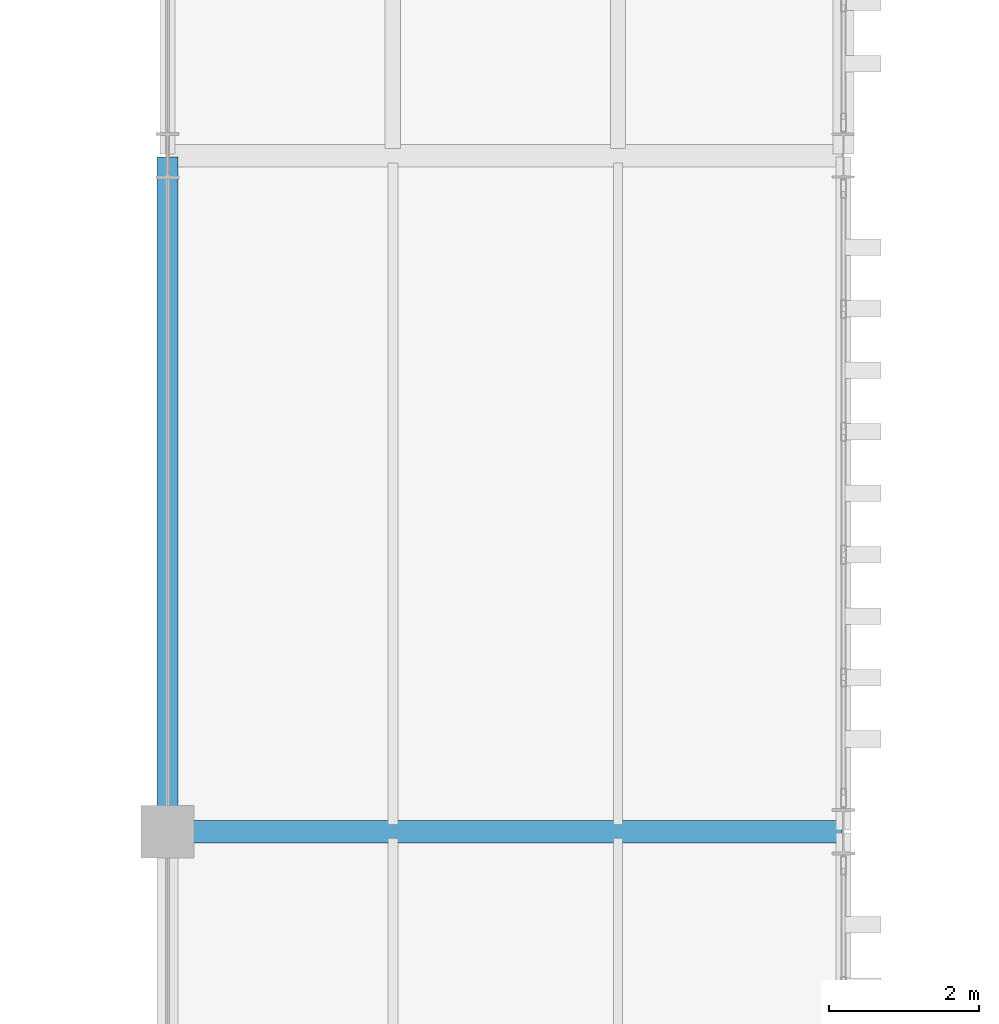
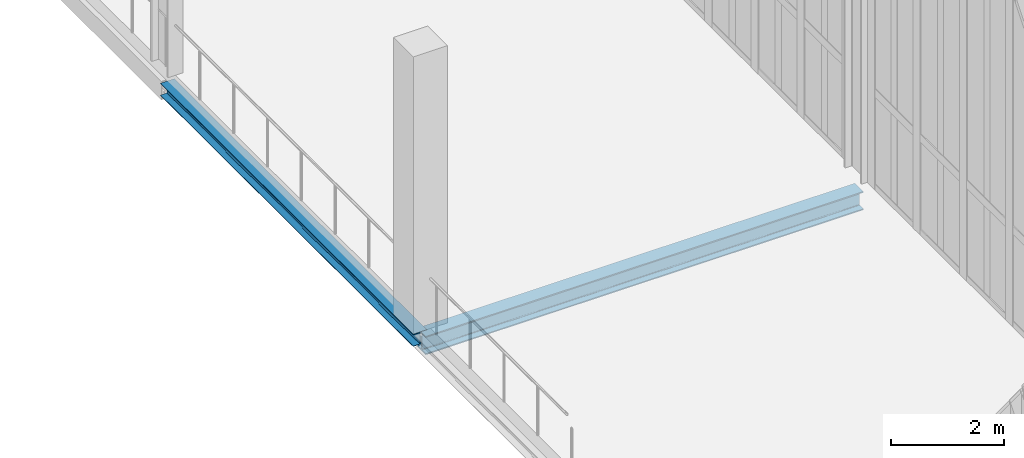
# One storey, part 50 of 237: 2 beams.
"""IFC4 building model written with IfcOpenShell, lengths in metres."""

from ifc_helpers import new_model, si_unit, direction, frame, origin, origin_2d, place, context, subcontext, project, spatial, i_section, extrude, material, material_profile, profile_set, type_object, element, save


model = new_model("IFC4")

# Units and contexts
model_context = context("Model", 3, precision=1e-05, world=origin(), true_north=direction((0.0, 1.0)))
body_context = subcontext(model_context, "Body", "Model", "MODEL_VIEW")
ifc_project = project(units=[si_unit("LENGTHUNIT", "METRE"), si_unit("AREAUNIT", "SQUARE_METRE"), si_unit("VOLUMEUNIT", "CUBIC_METRE"), si_unit("PLANEANGLEUNIT", "RADIAN"), si_unit("MASSUNIT", "GRAM", prefix="KILO")], contexts=[model_context])

# Site, building, storey
site_placement = place(None, origin())
site = spatial("IfcSite", under=ifc_project, at=site_placement, CompositionType="ELEMENT")
building_placement = place(site_placement, origin())
building = spatial("IfcBuilding", under=site, at=building_placement, Name="Barlavento Convention Centre", CompositionType="ELEMENT")
storey_placement = place(building_placement, frame((0.0, 0.0, 12.0)))
storey = spatial("IfcBuildingStorey", under=building, at=storey_placement, Name="L02", CompositionType="ELEMENT", Elevation=12.0)

# Beams
ifc_material = material(Name="Steel S355", Category="steel")
ifc_material_profile_1 = material_profile(ifc_material, i_section(OverallWidth=0.300048828125, OverallDepth=0.39990234375, WebThickness=0.013427734375, FlangeThickness=0.02392578125, FilletRadius=0.027099609375, at=origin_2d()), Name="HEB 400")
ifc_profile_set_1 = profile_set([ifc_material_profile_1], Name="Steel S355")
beam_type_1 = type_object("IfcBeamType", Name="STR-BM-PRI-HEB400", PredefinedType="BEAM", material=ifc_profile_set_1)
beam_1_placement = place(storey_placement, frame((54.02001953125, 18.0, -0.5), z_axis=(1.0, 0.0, 0.0), x_axis=(0.0, 1.0, 0.0)))
element("IfcBeam", 1, at=beam_1_placement, inside=storey, type_object=beam_type_1, Name="L02 primary girder BG11", PredefinedType="BEAM", context=body_context, shape_type="SweptSolid", body=[
    extrude(i_section(OverallWidth=0.300048828125, OverallDepth=0.39990234375, WebThickness=0.013427734375, FlangeThickness=0.02392578125, FilletRadius=0.027099609375, at=origin_2d()), origin(), (0.0, 0.0, 1.0), 8.9599609375),
])
ifc_material_profile_2 = material_profile(ifc_material, i_section(OverallWidth=0.280029296875, OverallDepth=0.27001953125, WebThickness=0.008056640625, FlangeThickness=0.012939453125, FilletRadius=0.02392578125, at=origin_2d()), Name="HEA 280")
ifc_profile_set_2 = profile_set([ifc_material_profile_2], Name="Steel S355")
beam_type_2 = type_object("IfcBeamType", Name="STR-BM-SPN-HEA280", PredefinedType="SPANDREL", material=ifc_profile_set_2)
beam_2_placement = place(storey_placement, frame((54.0, 18.02001953125, -0.43505859375), z_axis=(0.0, 1.0, 0.0), x_axis=(-1.0, 0.0, 0.0)))
element("IfcBeam", 2, at=beam_2_placement, inside=storey, type_object=beam_type_2, Name="L02 grid girder SP03", PredefinedType="SPANDREL", context=body_context, shape_type="SweptSolid", body=[
    extrude(i_section(OverallWidth=0.280029296875, OverallDepth=0.27001953125, WebThickness=0.008056640625, FlangeThickness=0.012939453125, FilletRadius=0.02392578125, at=origin_2d()), origin(), (0.0, 0.0, 1.0), 8.9599609375),
])

save(model, "model.ifc")
